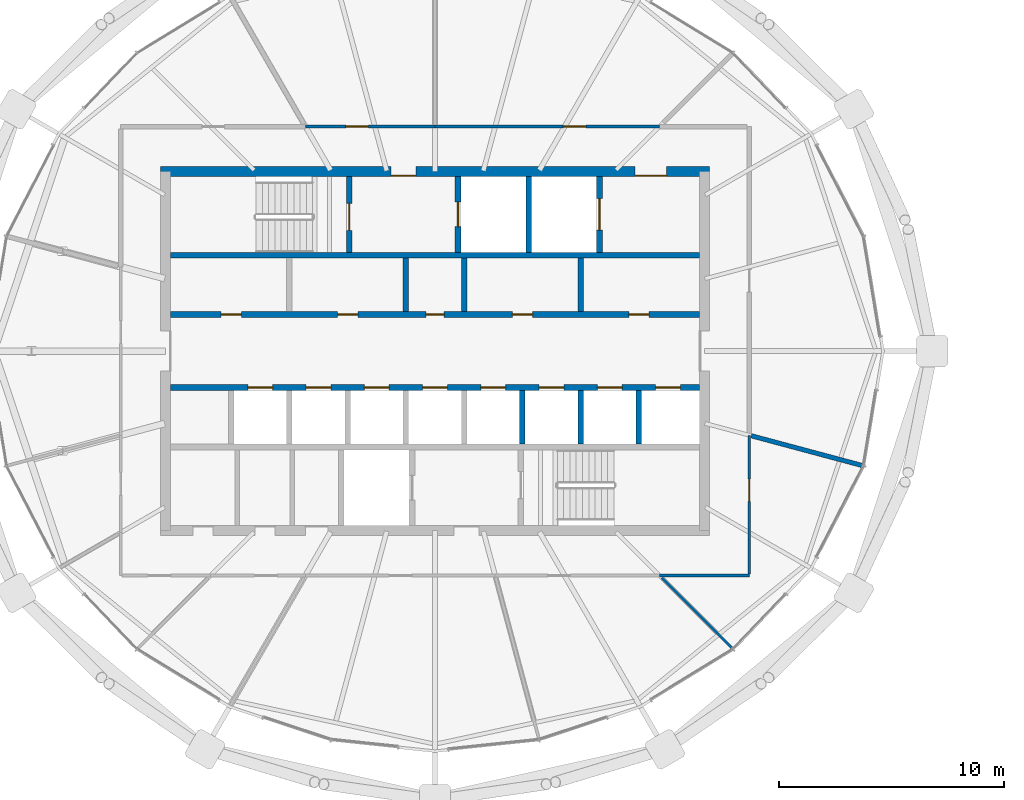
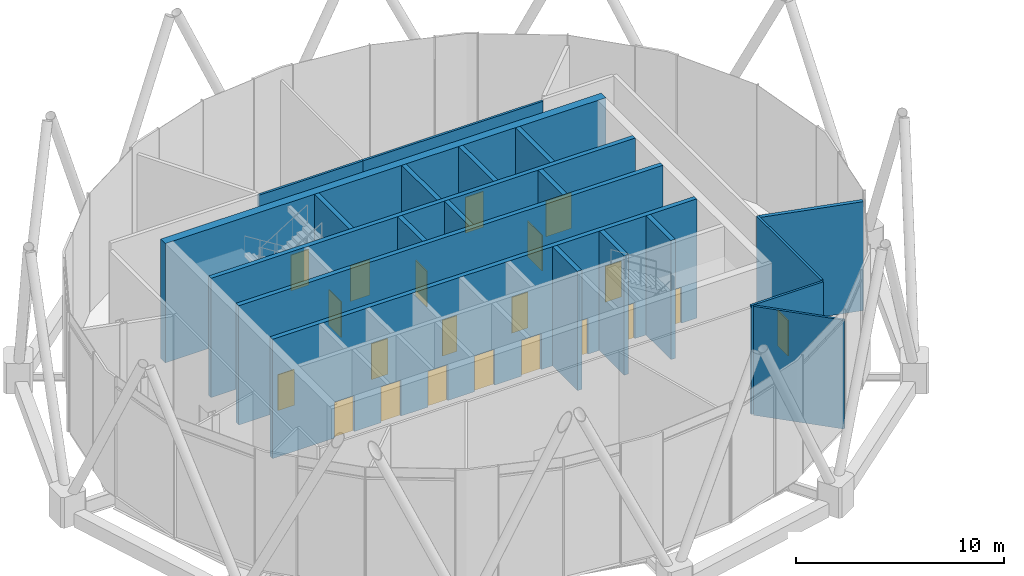
# One storey, part 19 of 28: 21 doors, 20 walls, 21 openings.
"""IFC4 building model written with IfcOpenShell, lengths in metres."""

from ifc_helpers import new_model, si_unit, direction, frame, frame_2d, origin, place, context, subcontext, project, spatial, rectangle, extrude, material, layer, layer_set, type_object, element, fill, save


model = new_model("IFC4")

# Units and contexts
model_context = context("Model", 3, precision=1e-05, world=origin(), true_north=direction((0.0, 1.0)))
body_context = subcontext(model_context, "Body", "Model", "MODEL_VIEW")
ifc_project = project(units=[si_unit("LENGTHUNIT", "METRE"), si_unit("AREAUNIT", "SQUARE_METRE"), si_unit("VOLUMEUNIT", "CUBIC_METRE"), si_unit("PLANEANGLEUNIT", "RADIAN"), si_unit("MASSUNIT", "GRAM", prefix="KILO")], contexts=[model_context])

# Site, building, storey
site_placement = place(None, origin())
site = spatial("IfcSite", under=ifc_project, at=site_placement, CompositionType="ELEMENT")
building_placement = place(site_placement, origin())
building = spatial("IfcBuilding", under=site, at=building_placement, Name="Rimbun Link Towers", CompositionType="ELEMENT")
storey_placement = place(building_placement, frame((0.0, 0.0, 256.10009765625)))
storey = spatial("IfcBuildingStorey", under=building, at=storey_placement, Name="L63", CompositionType="ELEMENT", Elevation=256.10009765625)

# Wall, openings, doors
ifc_material_1 = material(Name="Concrete C60/75", Category="concrete")
ifc_layer_1 = layer(ifc_material_1, 0.449951171875)
ifc_layer_set_1 = layer_set([ifc_layer_1], Name="Core shear wall 450")
wall_type_1 = type_object("IfcWallType", Name="Core shear wall 450", PredefinedType="SHEAR", material=ifc_layer_set_1)
wall_1_placement = place(storey_placement, frame((-43.97509765625, 8.0, 0.0), z_axis=(0.0, 0.0, 1.0), x_axis=(1.0, 0.0, 0.0)))
wall_1 = element("IfcWall", 1, at=wall_1_placement, inside=storey, type_object=wall_type_1, Name="L63 T1 core wall N", PredefinedType="SHEAR", context=body_context, shape_type="SweptSolid", body=[
    extrude(rectangle(XDim=24.4501953125, YDim=0.449951171875, at=frame_2d((12.22509765625, 0.0))), origin(), (0.0, 0.0, 1.0), 7.0),
])
opening_1_placement = place(wall_1_placement, frame((10.27490234375, 0.0, 0.0)))
opening_1 = element("IfcOpeningElement", 2, at=opening_1_placement, cuts=wall_1, Name="Opening C1DCF01N", PredefinedType="OPENING", context=body_context, shape_type="SweptSolid", body=[
    extrude(rectangle(XDim=1.10009765625, YDim=2.10009765625, at=frame_2d((0.550048828125, 1.050048828125))), frame((0.0, 0.23486328125, 0.0), z_axis=(0.0, -1.0, 0.0), x_axis=(1.0, 0.0, 0.0)), (0.0, 0.0, 1.0), 0.469970703125),
])
opening_2_placement = place(wall_1_placement, frame((21.137451171875, 0.0, 0.0)))
opening_2 = element("IfcOpeningElement", 3, at=opening_2_placement, cuts=wall_1, Name="Opening C1DSL02N", PredefinedType="OPENING", context=body_context, shape_type="SweptSolid", body=[
    extrude(rectangle(XDim=1.39990234375, YDim=2.10009765625, at=frame_2d((0.699951171875, 1.050048828125))), frame((0.0, 0.23486328125, 0.0), z_axis=(0.0, -1.0, 0.0), x_axis=(1.0, 0.0, 0.0)), (0.0, 0.0, 1.0), 0.469970703125),
])
ifc_material_2 = material(Name="Steel fire door set", Category="steel")
door_type_1 = type_object("IfcDoorType", Name="Core fire door single", OperationType="SINGLE_SWING_LEFT", PredefinedType="DOOR", material=ifc_material_2)
door_1_placement = place(opening_1_placement, origin())
door_1 = element("IfcDoor", 4, at=door_1_placement, inside=storey, type_object=door_type_1, Name="L63 T1 firefighting lobby n door", OperationType="SINGLE_SWING_LEFT", OverallHeight=2.10009765625, OverallWidth=1.10009765625, PredefinedType="DOOR", context=body_context, shape_type="SweptSolid", body=[
    extrude(rectangle(XDim=1.10009765625, YDim=2.10009765625, at=frame_2d((0.550048828125, 1.050048828125))), frame((0.0, -0.1748046875, 0.0), z_axis=(0.0, -1.0, 0.0), x_axis=(1.0, 0.0, 0.0)), (0.0, 0.0, 1.0), 0.050048828125),
])
fill(opening_1, door_1)
ifc_material_3 = material(Name="Steel fire door set", Category="steel")
door_type_2 = type_object("IfcDoorType", Name="Service lobby door double", OperationType="DOUBLE_DOOR_SINGLE_SWING", PredefinedType="DOOR", material=ifc_material_3)
door_2_placement = place(opening_2_placement, origin())
door_2 = element("IfcDoor", 5, at=door_2_placement, inside=storey, type_object=door_type_2, Name="L63 T1 service lobby door", OperationType="DOUBLE_DOOR_SINGLE_SWING", OverallHeight=2.10009765625, OverallWidth=1.39990234375, PredefinedType="DOOR", context=body_context, shape_type="SweptSolid", body=[
    extrude(rectangle(XDim=1.39990234375, YDim=2.10009765625, at=frame_2d((0.699951171875, 1.050048828125))), frame((0.0, -0.1748046875, 0.0), z_axis=(0.0, -1.0, 0.0), x_axis=(1.0, 0.0, 0.0)), (0.0, 0.0, 1.0), 0.050048828125),
])
fill(opening_2, door_2)

# Walls
ifc_material_4 = material(Name="Concrete blockwork", Category="masonry")
ifc_layer_2 = layer(ifc_material_4, 0.199951171875)
ifc_layer_set_2 = layer_set([ifc_layer_2], Name="Fire partition 200 blockwork")
wall_type_2 = type_object("IfcWallType", Name="Fire partition 200 blockwork", PredefinedType="PARTITIONING", material=ifc_layer_set_2)
wall_2_placement = place(storey_placement, frame((-12.693603515625, -5.106201171875, 0.0), z_axis=(0.0, 0.0, 1.0), x_axis=(-0.965919870225, 0.258841272413, 0.0)))
element("IfcWall", 6, at=wall_2_placement, inside=storey, type_object=wall_type_2, Name="TW/PW/L63/022", PredefinedType="PARTITIONING", context=body_context, shape_type="SweptSolid", body=[
    extrude(rectangle(XDim=5.143310546875, YDim=0.199951171875, at=frame_2d((2.57177734375, 0.0))), origin(), (0.0, 0.0, 1.0), 6.393798828125),
])
ifc_material_5 = material(Name="Gypsum board on steel studs", Category="steel")
ifc_layer_3 = layer(ifc_material_5, 0.125)
ifc_layer_set_3 = layer_set([ifc_layer_3], Name="Partition 125 board on studs")
wall_type_3 = type_object("IfcWallType", Name="Partition 125 board on studs", PredefinedType="PARTITIONING", material=ifc_layer_set_3)
wall_3_placement = place(storey_placement, frame((-21.75, -10.0, 0.0), z_axis=(0.0, 0.0, 1.0), x_axis=(1.0, 0.0, 0.0)))
element("IfcWall", 7, at=wall_3_placement, inside=storey, type_object=wall_type_3, Name="TW/PW/L63/007", PredefinedType="PARTITIONING", context=body_context, shape_type="SweptSolid", body=[
    extrude(rectangle(XDim=4.0, YDim=0.125, at=frame_2d((2.0, 0.0))), origin(), (0.0, 0.0, 1.0), 6.393798828125),
])

# Wall, opening, door
wall_4_placement = place(storey_placement, frame((-17.75, -9.9375, 0.0), z_axis=(0.0, 0.0, 1.0), x_axis=(0.0, 1.0, 0.0)))
wall_4 = element("IfcWall", 8, at=wall_4_placement, inside=storey, type_object=wall_type_3, Name="TW/PW/L63/008", PredefinedType="PARTITIONING", context=body_context, shape_type="SweptSolid", body=[
    extrude(rectangle(XDim=6.186279296875, YDim=0.125, at=frame_2d((3.09326171875, 0.0))), origin(), (0.0, 0.0, 1.0), 6.44482421875),
])
opening_3_placement = place(wall_4_placement, frame((3.236083984375, 0.0, 0.0)))
opening_3 = element("IfcOpeningElement", 9, at=opening_3_placement, cuts=wall_4, Name="Opening TW D63.06", PredefinedType="OPENING", context=body_context, shape_type="SweptSolid", body=[
    extrude(rectangle(XDim=1.0, YDim=2.10009765625, at=frame_2d((0.5, 1.050048828125))), frame((0.0, 0.072509765625, 0.0), z_axis=(0.0, -1.0, 0.0), x_axis=(1.0, 0.0, 0.0)), (0.0, 0.0, 1.0), 0.14501953125),
])
ifc_material_6 = material(Name="Timber door set", Category="wood")
door_type_3 = type_object("IfcDoorType", Name="Door single leaf 1000 x 2100", OperationType="NOTDEFINED", PredefinedType="DOOR", material=ifc_material_6)
door_3_placement = place(opening_3_placement, origin())
door_3 = element("IfcDoor", 10, at=door_3_placement, inside=storey, type_object=door_type_3, Name="TW/DR/L63/006", OperationType="SINGLE_SWING_LEFT", OverallHeight=2.10009765625, OverallWidth=1.0, PredefinedType="DOOR", context=body_context, shape_type="SweptSolid", body=[
    extrude(rectangle(XDim=1.0, YDim=2.10009765625, at=frame_2d((0.5, 1.050048828125))), frame((0.0, 0.02490234375, 0.0), z_axis=(0.0, -1.0, 0.0), x_axis=(1.0, 0.0, 0.0)), (0.0, 0.0, 1.0), 0.050048828125),
])
fill(opening_3, door_3)

wall_5_placement = place(storey_placement, frame((-21.75, 10.0, 0.0), z_axis=(0.0, 0.0, 1.0), x_axis=(-1.0, 0.0, 0.0)))
wall_5 = element("IfcWall", 11, at=wall_5_placement, inside=storey, type_object=wall_type_3, Name="TW/PW/L63/011", PredefinedType="PARTITIONING", context=body_context, shape_type="SweptSolid", body=[
    extrude(rectangle(XDim=10.0, YDim=0.125, at=frame_2d((5.0, 0.0))), origin(), (0.0, 0.0, 1.0), 6.266845703125),
])
opening_4_placement = place(wall_5_placement, frame((3.284912109375, 0.0, 0.0)))
opening_4 = element("IfcOpeningElement", 12, at=opening_4_placement, cuts=wall_5, Name="Opening TW D63.08", PredefinedType="OPENING", context=body_context, shape_type="SweptSolid", body=[
    extrude(rectangle(XDim=1.0, YDim=2.10009765625, at=frame_2d((0.5, 1.050048828125))), frame((0.0, 0.072509765625, 0.0), z_axis=(0.0, -1.0, 0.0), x_axis=(1.0, 0.0, 0.0)), (0.0, 0.0, 1.0), 0.14501953125),
])
door_4_placement = place(opening_4_placement, origin())
door_4 = element("IfcDoor", 13, at=door_4_placement, inside=storey, type_object=door_type_3, Name="TW/DR/L63/008", OperationType="SINGLE_SWING_LEFT", OverallHeight=2.10009765625, OverallWidth=1.0, PredefinedType="DOOR", context=body_context, shape_type="SweptSolid", body=[
    extrude(rectangle(XDim=1.0, YDim=2.10009765625, at=frame_2d((0.5, 1.050048828125))), frame((0.0, 0.02490234375, 0.0), z_axis=(0.0, -1.0, 0.0), x_axis=(1.0, 0.0, 0.0)), (0.0, 0.0, 1.0), 0.050048828125),
])
fill(opening_4, door_4)

wall_6_placement = place(storey_placement, frame((-31.75, 10.0, 0.0), z_axis=(0.0, 0.0, 1.0), x_axis=(-1.0, 0.0, 0.0)))
wall_6 = element("IfcWall", 14, at=wall_6_placement, inside=storey, type_object=wall_type_3, Name="TW/PW/L63/012", PredefinedType="PARTITIONING", context=body_context, shape_type="SweptSolid", body=[
    extrude(rectangle(XDim=5.7734375, YDim=0.125, at=frame_2d((2.88671875, 0.0))), origin(), (0.0, 0.0, 1.0), 6.266845703125),
])
opening_5_placement = place(wall_6_placement, frame((2.968017578125, 0.0, 0.0)))
opening_5 = element("IfcOpeningElement", 15, at=opening_5_placement, cuts=wall_6, Name="Opening TW D63.09", PredefinedType="OPENING", context=body_context, shape_type="SweptSolid", body=[
    extrude(rectangle(XDim=1.0, YDim=2.10009765625, at=frame_2d((0.5, 1.050048828125))), frame((0.0, 0.072509765625, 0.0), z_axis=(0.0, -1.0, 0.0), x_axis=(1.0, 0.0, 0.0)), (0.0, 0.0, 1.0), 0.14501953125),
])
door_5_placement = place(opening_5_placement, origin())
door_5 = element("IfcDoor", 16, at=door_5_placement, inside=storey, type_object=door_type_3, Name="TW/DR/L63/009", OperationType="SINGLE_SWING_RIGHT", OverallHeight=2.10009765625, OverallWidth=1.0, PredefinedType="DOOR", context=body_context, shape_type="SweptSolid", body=[
    extrude(rectangle(XDim=1.0, YDim=2.10009765625, at=frame_2d((0.5, 1.050048828125))), frame((0.0, 0.02490234375, 0.0), z_axis=(0.0, -1.0, 0.0), x_axis=(1.0, 0.0, 0.0)), (0.0, 0.0, 1.0), 0.050048828125),
])
fill(opening_5, door_5)

# Walls
wall_7_placement = place(storey_placement, frame((-18.4423828125, -13.3076171875, 0.0), z_axis=(0.0, 0.0, 1.0), x_axis=(-0.707106781187, 0.707106781187, 0.0)))
element("IfcWall", 17, at=wall_7_placement, inside=storey, type_object=wall_type_3, Name="TW/PW/L63/021", PredefinedType="PARTITIONING", context=body_context, shape_type="SweptSolid", body=[
    extrude(rectangle(XDim=4.52685546875, YDim=0.125, at=frame_2d((2.263427734375, 0.0))), origin(), (0.0, 0.0, 1.0), 6.393798828125),
])
ifc_material_7 = material(Name="Concrete C60/75", Category="concrete")
ifc_layer_4 = layer(ifc_material_7, 0.25)
ifc_layer_set_4 = layer_set([ifc_layer_4], Name="Shaft wall 250")
wall_type_4 = type_object("IfcWallType", Name="Shaft wall 250", PredefinedType="SHEAR", material=ifc_layer_set_4)
wall_8_placement = place(storey_placement, frame((-43.52490234375, 4.27490234375, 0.0), z_axis=(0.0, 0.0, 1.0), x_axis=(1.0, 0.0, 0.0)))
element("IfcWall", 18, at=wall_8_placement, inside=storey, type_object=wall_type_4, Name="L63 T1 core wall BN", PredefinedType="SHEAR", context=body_context, shape_type="SweptSolid", body=[
    extrude(rectangle(XDim=23.5498046875, YDim=0.25, at=frame_2d((11.77490234375, 0.0))), origin(), (0.0, 0.0, 1.0), 7.0),
])

# Wall, openings, doors
wall_9_placement = place(storey_placement, frame((-43.52490234375, 1.625, 0.0), z_axis=(0.0, 0.0, 1.0), x_axis=(1.0, 0.0, 0.0)))
wall_9 = element("IfcWall", 19, at=wall_9_placement, inside=storey, type_object=wall_type_4, Name="L63 T1 core wall FN", PredefinedType="SHEAR", context=body_context, shape_type="SweptSolid", body=[
    extrude(rectangle(XDim=23.5498046875, YDim=0.25, at=frame_2d((11.77490234375, 0.0))), origin(), (0.0, 0.0, 1.0), 7.0),
])
opening_6_placement = place(wall_9_placement, frame((2.244384765625, 0.0, 0.0)))
opening_6 = element("IfcOpeningElement", 20, at=opening_6_placement, cuts=wall_9, Name="Opening C1DRS01FN", PredefinedType="OPENING", context=body_context, shape_type="SweptSolid", body=[
    extrude(rectangle(XDim=0.89990234375, YDim=2.10009765625, at=frame_2d((0.449951171875, 1.050048828125))), frame((0.0, 0.135009765625, 0.0), z_axis=(0.0, -1.0, 0.0), x_axis=(1.0, 0.0, 0.0)), (0.0, 0.0, 1.0), 0.27001953125),
])
opening_7_placement = place(wall_9_placement, frame((7.433349609375, 0.0, 0.0)))
opening_7 = element("IfcOpeningElement", 21, at=opening_7_placement, cuts=wall_9, Name="Opening C1DRS02FN", PredefinedType="OPENING", context=body_context, shape_type="SweptSolid", body=[
    extrude(rectangle(XDim=0.89990234375, YDim=2.10009765625, at=frame_2d((0.449951171875, 1.050048828125))), frame((0.0, 0.135009765625, 0.0), z_axis=(0.0, -1.0, 0.0), x_axis=(1.0, 0.0, 0.0)), (0.0, 0.0, 1.0), 0.27001953125),
])
opening_8_placement = place(wall_9_placement, frame((11.375, 0.0, 0.0)))
opening_8 = element("IfcOpeningElement", 22, at=opening_8_placement, cuts=wall_9, Name="Opening C1DRA03FN", PredefinedType="OPENING", context=body_context, shape_type="SweptSolid", body=[
    extrude(rectangle(XDim=0.800048828125, YDim=2.10009765625, at=frame_2d((0.39990234375, 1.050048828125))), frame((0.0, 0.135009765625, 0.0), z_axis=(0.0, -1.0, 0.0), x_axis=(1.0, 0.0, 0.0)), (0.0, 0.0, 1.0), 0.27001953125),
])
opening_9_placement = place(wall_9_placement, frame((15.216796875, 0.0, 0.0)))
opening_9 = element("IfcOpeningElement", 23, at=opening_9_placement, cuts=wall_9, Name="Opening C1DRS04FN", PredefinedType="OPENING", context=body_context, shape_type="SweptSolid", body=[
    extrude(rectangle(XDim=0.89990234375, YDim=2.10009765625, at=frame_2d((0.449951171875, 1.050048828125))), frame((0.0, 0.135009765625, 0.0), z_axis=(0.0, -1.0, 0.0), x_axis=(1.0, 0.0, 0.0)), (0.0, 0.0, 1.0), 0.27001953125),
])
opening_10_placement = place(wall_9_placement, frame((20.405517578125, 0.0, 0.0)))
opening_10 = element("IfcOpeningElement", 24, at=opening_10_placement, cuts=wall_9, Name="Opening C1DRS05FN", PredefinedType="OPENING", context=body_context, shape_type="SweptSolid", body=[
    extrude(rectangle(XDim=0.89990234375, YDim=2.10009765625, at=frame_2d((0.449951171875, 1.050048828125))), frame((0.0, 0.135009765625, 0.0), z_axis=(0.0, -1.0, 0.0), x_axis=(1.0, 0.0, 0.0)), (0.0, 0.0, 1.0), 0.27001953125),
])
ifc_material_8 = material(Name="Steel fire door set", Category="steel")
door_type_4 = type_object("IfcDoorType", Name="Core riser door", OperationType="SINGLE_SWING_LEFT", PredefinedType="DOOR", material=ifc_material_8)
door_6_placement = place(opening_6_placement, origin())
door_6 = element("IfcDoor", 25, at=door_6_placement, inside=storey, type_object=door_type_4, Name="L63 T1 staff lounge door", OperationType="SINGLE_SWING_LEFT", OverallHeight=2.10009765625, OverallWidth=0.89990234375, PredefinedType="DOOR", context=body_context, shape_type="SweptSolid", body=[
    extrude(rectangle(XDim=0.89990234375, YDim=2.10009765625, at=frame_2d((0.449951171875, 1.050048828125))), frame((0.0, 0.02490234375, 0.0), z_axis=(0.0, -1.0, 0.0), x_axis=(1.0, 0.0, 0.0)), (0.0, 0.0, 1.0), 0.050048828125),
])
fill(opening_6, door_6)
door_7_placement = place(opening_7_placement, origin())
door_7 = element("IfcDoor", 26, at=door_7_placement, inside=storey, type_object=door_type_4, Name="L63 T1 phone room door", OperationType="SINGLE_SWING_RIGHT", OverallHeight=2.10009765625, OverallWidth=0.89990234375, PredefinedType="DOOR", context=body_context, shape_type="SweptSolid", body=[
    extrude(rectangle(XDim=0.89990234375, YDim=2.10009765625, at=frame_2d((0.449951171875, 1.050048828125))), frame((0.0, 0.02490234375, 0.0), z_axis=(0.0, -1.0, 0.0), x_axis=(1.0, 0.0, 0.0)), (0.0, 0.0, 1.0), 0.050048828125),
])
fill(opening_7, door_7)
door_8_placement = place(opening_9_placement, origin())
door_8 = element("IfcDoor", 27, at=door_8_placement, inside=storey, type_object=door_type_4, Name="L63 T1 print room door", OperationType="SINGLE_SWING_LEFT", OverallHeight=2.10009765625, OverallWidth=0.89990234375, PredefinedType="DOOR", context=body_context, shape_type="SweptSolid", body=[
    extrude(rectangle(XDim=0.89990234375, YDim=2.10009765625, at=frame_2d((0.449951171875, 1.050048828125))), frame((0.0, 0.02490234375, 0.0), z_axis=(0.0, -1.0, 0.0), x_axis=(1.0, 0.0, 0.0)), (0.0, 0.0, 1.0), 0.050048828125),
])
fill(opening_9, door_8)
door_9_placement = place(opening_10_placement, origin())
door_9 = element("IfcDoor", 28, at=door_9_placement, inside=storey, type_object=door_type_4, Name="L63 T1 staff lounge door", OperationType="SINGLE_SWING_LEFT", OverallHeight=2.10009765625, OverallWidth=0.89990234375, PredefinedType="DOOR", context=body_context, shape_type="SweptSolid", body=[
    extrude(rectangle(XDim=0.89990234375, YDim=2.10009765625, at=frame_2d((0.449951171875, 1.050048828125))), frame((0.0, 0.02490234375, 0.0), z_axis=(0.0, -1.0, 0.0), x_axis=(1.0, 0.0, 0.0)), (0.0, 0.0, 1.0), 0.050048828125),
])
fill(opening_10, door_9)
ifc_material_9 = material(Name="Steel fire door set", Category="steel")
door_type_5 = type_object("IfcDoorType", Name="Riser access door 800 x 2100", OperationType="SINGLE_SWING_LEFT", PredefinedType="DOOR", material=ifc_material_9)
door_10_placement = place(opening_8_placement, origin())
door_10 = element("IfcDoor", 29, at=door_10_placement, inside=storey, type_object=door_type_5, Name="L63 T1 communications room door", OperationType="SINGLE_SWING_LEFT", OverallHeight=2.10009765625, OverallWidth=0.800048828125, PredefinedType="DOOR", context=body_context, shape_type="SweptSolid", body=[
    extrude(rectangle(XDim=0.800048828125, YDim=2.10009765625, at=frame_2d((0.39990234375, 1.050048828125))), frame((0.0, 0.02490234375, 0.0), z_axis=(0.0, -1.0, 0.0), x_axis=(1.0, 0.0, 0.0)), (0.0, 0.0, 1.0), 0.050048828125),
])
fill(opening_8, door_10)

wall_10_placement = place(storey_placement, frame((-43.52490234375, -1.625, 0.0), z_axis=(0.0, 0.0, 1.0), x_axis=(1.0, 0.0, 0.0)))
wall_10 = element("IfcWall", 30, at=wall_10_placement, inside=storey, type_object=wall_type_4, Name="L63 T1 core wall FS", PredefinedType="SHEAR", context=body_context, shape_type="SweptSolid", body=[
    extrude(rectangle(XDim=23.5498046875, YDim=0.25, at=frame_2d((11.77490234375, 0.0))), origin(), (0.0, 0.0, 1.0), 7.0),
])
opening_11_placement = place(wall_10_placement, frame((3.441650390625, 0.0, 0.0)))
opening_11 = element("IfcOpeningElement", 31, at=opening_11_placement, cuts=wall_10, Name="Opening LD-T1-OB1", PredefinedType="OPENING", context=body_context, shape_type="SweptSolid", body=[
    extrude(rectangle(XDim=1.10009765625, YDim=2.10009765625, at=frame_2d((0.550048828125, 1.050048828125))), frame((0.0, 0.135009765625, 0.0), z_axis=(0.0, -1.0, 0.0), x_axis=(1.0, 0.0, 0.0)), (0.0, 0.0, 1.0), 0.27001953125),
])
opening_12_placement = place(wall_10_placement, frame((6.0361328125, 0.0, 0.0)))
opening_12 = element("IfcOpeningElement", 32, at=opening_12_placement, cuts=wall_10, Name="Opening LD-T1-OB2", PredefinedType="OPENING", context=body_context, shape_type="SweptSolid", body=[
    extrude(rectangle(XDim=1.10009765625, YDim=2.10009765625, at=frame_2d((0.550048828125, 1.050048828125))), frame((0.0, 0.135009765625, 0.0), z_axis=(0.0, -1.0, 0.0), x_axis=(1.0, 0.0, 0.0)), (0.0, 0.0, 1.0), 0.27001953125),
])
opening_13_placement = place(wall_10_placement, frame((8.630615234375, 0.0, 0.0)))
opening_13 = element("IfcOpeningElement", 33, at=opening_13_placement, cuts=wall_10, Name="Opening LD-T1-HR1", PredefinedType="OPENING", context=body_context, shape_type="SweptSolid", body=[
    extrude(rectangle(XDim=1.10009765625, YDim=2.10009765625, at=frame_2d((0.550048828125, 1.050048828125))), frame((0.0, 0.135009765625, 0.0), z_axis=(0.0, -1.0, 0.0), x_axis=(1.0, 0.0, 0.0)), (0.0, 0.0, 1.0), 0.27001953125),
])
opening_14_placement = place(wall_10_placement, frame((11.22509765625, 0.0, 0.0)))
opening_14 = element("IfcOpeningElement", 34, at=opening_14_placement, cuts=wall_10, Name="Opening LD-T1-HR2", PredefinedType="OPENING", context=body_context, shape_type="SweptSolid", body=[
    extrude(rectangle(XDim=1.10009765625, YDim=2.10009765625, at=frame_2d((0.550048828125, 1.050048828125))), frame((0.0, 0.135009765625, 0.0), z_axis=(0.0, -1.0, 0.0), x_axis=(1.0, 0.0, 0.0)), (0.0, 0.0, 1.0), 0.27001953125),
])
opening_15_placement = place(wall_10_placement, frame((13.8193359375, 0.0, 0.0)))
opening_15 = element("IfcOpeningElement", 35, at=opening_15_placement, cuts=wall_10, Name="Opening LD-T1-HR3", PredefinedType="OPENING", context=body_context, shape_type="SweptSolid", body=[
    extrude(rectangle(XDim=1.10009765625, YDim=2.10009765625, at=frame_2d((0.550048828125, 1.050048828125))), frame((0.0, 0.135009765625, 0.0), z_axis=(0.0, -1.0, 0.0), x_axis=(1.0, 0.0, 0.0)), (0.0, 0.0, 1.0), 0.27001953125),
])
opening_16_placement = place(wall_10_placement, frame((16.413818359375, 0.0, 0.0)))
opening_16 = element("IfcOpeningElement", 36, at=opening_16_placement, cuts=wall_10, Name="Opening LD-T1-HR4", PredefinedType="OPENING", context=body_context, shape_type="SweptSolid", body=[
    extrude(rectangle(XDim=1.10009765625, YDim=2.10009765625, at=frame_2d((0.550048828125, 1.050048828125))), frame((0.0, 0.135009765625, 0.0), z_axis=(0.0, -1.0, 0.0), x_axis=(1.0, 0.0, 0.0)), (0.0, 0.0, 1.0), 0.27001953125),
])
opening_17_placement = place(wall_10_placement, frame((19.00830078125, 0.0, 0.0)))
opening_17 = element("IfcOpeningElement", 37, at=opening_17_placement, cuts=wall_10, Name="Opening LD-T1-HR5", PredefinedType="OPENING", context=body_context, shape_type="SweptSolid", body=[
    extrude(rectangle(XDim=1.10009765625, YDim=2.10009765625, at=frame_2d((0.550048828125, 1.050048828125))), frame((0.0, 0.135009765625, 0.0), z_axis=(0.0, -1.0, 0.0), x_axis=(1.0, 0.0, 0.0)), (0.0, 0.0, 1.0), 0.27001953125),
])
opening_18_placement = place(wall_10_placement, frame((21.602783203125, 0.0, 0.0)))
opening_18 = element("IfcOpeningElement", 38, at=opening_18_placement, cuts=wall_10, Name="Opening LD-T1-HR6", PredefinedType="OPENING", context=body_context, shape_type="SweptSolid", body=[
    extrude(rectangle(XDim=1.10009765625, YDim=2.10009765625, at=frame_2d((0.550048828125, 1.050048828125))), frame((0.0, 0.135009765625, 0.0), z_axis=(0.0, -1.0, 0.0), x_axis=(1.0, 0.0, 0.0)), (0.0, 0.0, 1.0), 0.27001953125),
])
ifc_material_10 = material(Name="Stainless steel grade 316", Category="steel")
door_type_6 = type_object("IfcDoorType", Name="Lift landing door", OperationType="DOUBLE_DOOR_SLIDING", PredefinedType="DOOR", material=ifc_material_10)
door_11_placement = place(opening_11_placement, origin())
door_11 = element("IfcDoor", 39, at=door_11_placement, inside=storey, type_object=door_type_6, Name="L63 T1 lift OB1 landing door", OperationType="DOUBLE_DOOR_SLIDING", OverallHeight=2.10009765625, OverallWidth=1.10009765625, PredefinedType="DOOR", context=body_context, shape_type="SweptSolid", body=[
    extrude(rectangle(XDim=1.10009765625, YDim=2.10009765625, at=frame_2d((0.550048828125, 1.050048828125))), frame((0.0, 0.02490234375, 0.0), z_axis=(0.0, -1.0, 0.0), x_axis=(1.0, 0.0, 0.0)), (0.0, 0.0, 1.0), 0.050048828125),
])
fill(opening_11, door_11)
door_12_placement = place(opening_12_placement, origin())
door_12 = element("IfcDoor", 40, at=door_12_placement, inside=storey, type_object=door_type_6, Name="L63 T1 lift OB2 landing door", OperationType="DOUBLE_DOOR_SLIDING", OverallHeight=2.10009765625, OverallWidth=1.10009765625, PredefinedType="DOOR", context=body_context, shape_type="SweptSolid", body=[
    extrude(rectangle(XDim=1.10009765625, YDim=2.10009765625, at=frame_2d((0.550048828125, 1.050048828125))), frame((0.0, 0.02490234375, 0.0), z_axis=(0.0, -1.0, 0.0), x_axis=(1.0, 0.0, 0.0)), (0.0, 0.0, 1.0), 0.050048828125),
])
fill(opening_12, door_12)
door_13_placement = place(opening_13_placement, origin())
door_13 = element("IfcDoor", 41, at=door_13_placement, inside=storey, type_object=door_type_6, Name="L63 T1 lift HR1 landing door", OperationType="DOUBLE_DOOR_SLIDING", OverallHeight=2.10009765625, OverallWidth=1.10009765625, PredefinedType="DOOR", context=body_context, shape_type="SweptSolid", body=[
    extrude(rectangle(XDim=1.10009765625, YDim=2.10009765625, at=frame_2d((0.550048828125, 1.050048828125))), frame((0.0, 0.02490234375, 0.0), z_axis=(0.0, -1.0, 0.0), x_axis=(1.0, 0.0, 0.0)), (0.0, 0.0, 1.0), 0.050048828125),
])
fill(opening_13, door_13)
door_14_placement = place(opening_14_placement, origin())
door_14 = element("IfcDoor", 42, at=door_14_placement, inside=storey, type_object=door_type_6, Name="L63 T1 lift HR2 landing door", OperationType="DOUBLE_DOOR_SLIDING", OverallHeight=2.10009765625, OverallWidth=1.10009765625, PredefinedType="DOOR", context=body_context, shape_type="SweptSolid", body=[
    extrude(rectangle(XDim=1.10009765625, YDim=2.10009765625, at=frame_2d((0.550048828125, 1.050048828125))), frame((0.0, 0.02490234375, 0.0), z_axis=(0.0, -1.0, 0.0), x_axis=(1.0, 0.0, 0.0)), (0.0, 0.0, 1.0), 0.050048828125),
])
fill(opening_14, door_14)
door_15_placement = place(opening_15_placement, origin())
door_15 = element("IfcDoor", 43, at=door_15_placement, inside=storey, type_object=door_type_6, Name="L63 T1 lift HR3 landing door", OperationType="DOUBLE_DOOR_SLIDING", OverallHeight=2.10009765625, OverallWidth=1.10009765625, PredefinedType="DOOR", context=body_context, shape_type="SweptSolid", body=[
    extrude(rectangle(XDim=1.10009765625, YDim=2.10009765625, at=frame_2d((0.550048828125, 1.050048828125))), frame((0.0, 0.02490234375, 0.0), z_axis=(0.0, -1.0, 0.0), x_axis=(1.0, 0.0, 0.0)), (0.0, 0.0, 1.0), 0.050048828125),
])
fill(opening_15, door_15)
door_16_placement = place(opening_16_placement, origin())
door_16 = element("IfcDoor", 44, at=door_16_placement, inside=storey, type_object=door_type_6, Name="L63 T1 lift HR4 landing door", OperationType="DOUBLE_DOOR_SLIDING", OverallHeight=2.10009765625, OverallWidth=1.10009765625, PredefinedType="DOOR", context=body_context, shape_type="SweptSolid", body=[
    extrude(rectangle(XDim=1.10009765625, YDim=2.10009765625, at=frame_2d((0.550048828125, 1.050048828125))), frame((0.0, 0.02490234375, 0.0), z_axis=(0.0, -1.0, 0.0), x_axis=(1.0, 0.0, 0.0)), (0.0, 0.0, 1.0), 0.050048828125),
])
fill(opening_16, door_16)
door_17_placement = place(opening_17_placement, origin())
door_17 = element("IfcDoor", 45, at=door_17_placement, inside=storey, type_object=door_type_6, Name="L63 T1 lift HR5 landing door", OperationType="DOUBLE_DOOR_SLIDING", OverallHeight=2.10009765625, OverallWidth=1.10009765625, PredefinedType="DOOR", context=body_context, shape_type="SweptSolid", body=[
    extrude(rectangle(XDim=1.10009765625, YDim=2.10009765625, at=frame_2d((0.550048828125, 1.050048828125))), frame((0.0, 0.02490234375, 0.0), z_axis=(0.0, -1.0, 0.0), x_axis=(1.0, 0.0, 0.0)), (0.0, 0.0, 1.0), 0.050048828125),
])
fill(opening_17, door_17)
door_18_placement = place(opening_18_placement, origin())
door_18 = element("IfcDoor", 46, at=door_18_placement, inside=storey, type_object=door_type_6, Name="L63 T1 lift HR6 landing door", OperationType="DOUBLE_DOOR_SLIDING", OverallHeight=2.10009765625, OverallWidth=1.10009765625, PredefinedType="DOOR", context=body_context, shape_type="SweptSolid", body=[
    extrude(rectangle(XDim=1.10009765625, YDim=2.10009765625, at=frame_2d((0.550048828125, 1.050048828125))), frame((0.0, 0.02490234375, 0.0), z_axis=(0.0, -1.0, 0.0), x_axis=(1.0, 0.0, 0.0)), (0.0, 0.0, 1.0), 0.050048828125),
])
fill(opening_18, door_18)

# Walls
for number, where, z_axis, x_axis, name in (
    (47, (-33.047119140625, 1.75, 0.0), (0.0, 0.0, 1.0), (0.0, 1.0, 0.0), "L63 T1 core wall DN3"),
    (48, (-30.452880859375, 1.75, 0.0), (0.0, 0.0, 1.0), (0.0, 1.0, 0.0), "L63 T1 core wall DN4"),
    (49, (-25.263916015625, 1.75, 0.0), (0.0, 0.0, 1.0), (0.0, 1.0, 0.0), "L63 T1 core wall DN6"),
    (50, (-27.8583984375, -4.14990234375, 0.0), (0.0, 0.0, 1.0), (0.0, 1.0, 0.0), "L63 T1 core wall DS5"),
    (51, (-25.263916015625, -4.14990234375, 0.0), (0.0, 0.0, 1.0), (0.0, 1.0, 0.0), "L63 T1 core wall DS6"),
    (52, (-22.66943359375, -4.14990234375, 0.0), (0.0, 0.0, 1.0), (0.0, 1.0, 0.0), "L63 T1 core wall DS7"),
):
    element("IfcWall", number, at=place(storey_placement, frame(where, z_axis=z_axis, x_axis=x_axis)), inside=storey, type_object=wall_type_4, Name=name, PredefinedType="SHEAR", context=body_context, shape_type="SweptSolid", body=[
        extrude(rectangle(XDim=2.39990234375, YDim=0.25, at=frame_2d((1.199951171875, 0.0))), origin(), (0.0, 0.0, 1.0), 7.0),
    ])

# Wall, opening, door
wall_11_placement = place(storey_placement, frame((-35.574951171875, 4.39990234375, 0.0), z_axis=(0.0, 0.0, 1.0), x_axis=(0.0, 1.0, 0.0)))
wall_11 = element("IfcWall", 53, at=wall_11_placement, inside=storey, type_object=wall_type_4, Name="L63 T1 core wall A1", PredefinedType="SHEAR", context=body_context, shape_type="SweptSolid", body=[
    extrude(rectangle(XDim=3.375, YDim=0.25, at=frame_2d((1.6875, 0.0))), origin(), (0.0, 0.0, 1.0), 7.0),
])
opening_19_placement = place(wall_11_placement, frame((0.97509765625, 0.0, 0.0)))
opening_19 = element("IfcOpeningElement", 54, at=opening_19_placement, cuts=wall_11, Name="Opening C1DST01A1", PredefinedType="OPENING", context=body_context, shape_type="SweptSolid", body=[
    extrude(rectangle(XDim=1.199951171875, YDim=2.10009765625, at=frame_2d((0.60009765625, 1.050048828125))), frame((0.0, 0.135009765625, 0.0), z_axis=(0.0, -1.0, 0.0), x_axis=(1.0, 0.0, 0.0)), (0.0, 0.0, 1.0), 0.27001953125),
])
ifc_material_11 = material(Name="Steel fire door set", Category="steel")
door_type_7 = type_object("IfcDoorType", Name="Stair door", OperationType="SINGLE_SWING_LEFT", PredefinedType="DOOR", material=ifc_material_11)
door_19_placement = place(opening_19_placement, origin())
door_19 = element("IfcDoor", 55, at=door_19_placement, inside=storey, type_object=door_type_7, Name="L63 T1 stair a door", OperationType="SINGLE_SWING_RIGHT", OverallHeight=2.10009765625, OverallWidth=1.199951171875, PredefinedType="DOOR", context=body_context, shape_type="SweptSolid", body=[
    extrude(rectangle(XDim=1.199951171875, YDim=2.10009765625, at=frame_2d((0.60009765625, 1.050048828125))), frame((0.0, 0.02490234375, 0.0), z_axis=(0.0, -1.0, 0.0), x_axis=(1.0, 0.0, 0.0)), (0.0, 0.0, 1.0), 0.050048828125),
])
fill(opening_19, door_19)

wall_12_placement = place(storey_placement, frame((-30.72509765625, 4.39990234375, 0.0), z_axis=(0.0, 0.0, 1.0), x_axis=(0.0, 1.0, 0.0)))
wall_12 = element("IfcWall", 56, at=wall_12_placement, inside=storey, type_object=wall_type_4, Name="L63 T1 core wall A2", PredefinedType="SHEAR", context=body_context, shape_type="SweptSolid", body=[
    extrude(rectangle(XDim=3.375, YDim=0.25, at=frame_2d((1.6875, 0.0))), origin(), (0.0, 0.0, 1.0), 7.0),
])
opening_20_placement = place(wall_12_placement, frame((1.137451171875, 0.0, 0.0)))
opening_20 = element("IfcOpeningElement", 57, at=opening_20_placement, cuts=wall_12, Name="Opening LD-T1-FF1", PredefinedType="OPENING", context=body_context, shape_type="SweptSolid", body=[
    extrude(rectangle(XDim=1.10009765625, YDim=2.10009765625, at=frame_2d((0.550048828125, 1.050048828125))), frame((0.0, 0.135009765625, 0.0), z_axis=(0.0, -1.0, 0.0), x_axis=(1.0, 0.0, 0.0)), (0.0, 0.0, 1.0), 0.27001953125),
])
door_20_placement = place(opening_20_placement, origin())
door_20 = element("IfcDoor", 58, at=door_20_placement, inside=storey, type_object=door_type_6, Name="L63 T1 lift FF1 landing door", OperationType="DOUBLE_DOOR_SLIDING", OverallHeight=2.10009765625, OverallWidth=1.10009765625, PredefinedType="DOOR", context=body_context, shape_type="SweptSolid", body=[
    extrude(rectangle(XDim=1.10009765625, YDim=2.10009765625, at=frame_2d((0.550048828125, 1.050048828125))), frame((0.0, 0.02490234375, 0.0), z_axis=(0.0, -1.0, 0.0), x_axis=(1.0, 0.0, 0.0)), (0.0, 0.0, 1.0), 0.050048828125),
])
fill(opening_20, door_20)

# Wall
wall_13_placement = place(storey_placement, frame((-27.574951171875, 4.39990234375, 0.0), z_axis=(0.0, 0.0, 1.0), x_axis=(0.0, 1.0, 0.0)))
element("IfcWall", 59, at=wall_13_placement, inside=storey, type_object=wall_type_4, Name="L63 T1 core wall A3", PredefinedType="SHEAR", context=body_context, shape_type="SweptSolid", body=[
    extrude(rectangle(XDim=3.375, YDim=0.25, at=frame_2d((1.6875, 0.0))), origin(), (0.0, 0.0, 1.0), 7.0),
])

# Wall, opening, door
wall_14_placement = place(storey_placement, frame((-24.425048828125, 4.39990234375, 0.0), z_axis=(0.0, 0.0, 1.0), x_axis=(0.0, 1.0, 0.0)))
wall_14 = element("IfcWall", 60, at=wall_14_placement, inside=storey, type_object=wall_type_4, Name="L63 T1 core wall A4", PredefinedType="SHEAR", context=body_context, shape_type="SweptSolid", body=[
    extrude(rectangle(XDim=3.375, YDim=0.25, at=frame_2d((1.6875, 0.0))), origin(), (0.0, 0.0, 1.0), 7.0),
])
opening_21_placement = place(wall_14_placement, frame((0.987548828125, 0.0, 0.0)))
opening_21 = element("IfcOpeningElement", 61, at=opening_21_placement, cuts=wall_14, Name="Opening LD-T1-GL1", PredefinedType="OPENING", context=body_context, shape_type="SweptSolid", body=[
    extrude(rectangle(XDim=1.39990234375, YDim=2.10009765625, at=frame_2d((0.699951171875, 1.050048828125))), frame((0.0, 0.135009765625, 0.0), z_axis=(0.0, -1.0, 0.0), x_axis=(1.0, 0.0, 0.0)), (0.0, 0.0, 1.0), 0.27001953125),
])
ifc_material_12 = material(Name="Stainless steel grade 316", Category="steel")
door_type_8 = type_object("IfcDoorType", Name="Goods lift landing door", OperationType="DOUBLE_DOOR_SLIDING", PredefinedType="DOOR", material=ifc_material_12)
door_21_placement = place(opening_21_placement, origin())
door_21 = element("IfcDoor", 62, at=door_21_placement, inside=storey, type_object=door_type_8, Name="L63 T1 lift GL1 landing door", OperationType="DOUBLE_DOOR_SLIDING", OverallHeight=2.10009765625, OverallWidth=1.39990234375, PredefinedType="DOOR", context=body_context, shape_type="SweptSolid", body=[
    extrude(rectangle(XDim=1.39990234375, YDim=2.10009765625, at=frame_2d((0.699951171875, 1.050048828125))), frame((0.0, 0.02490234375, 0.0), z_axis=(0.0, -1.0, 0.0), x_axis=(1.0, 0.0, 0.0)), (0.0, 0.0, 1.0), 0.050048828125),
])
fill(opening_21, door_21)

save(model, "model.ifc")
